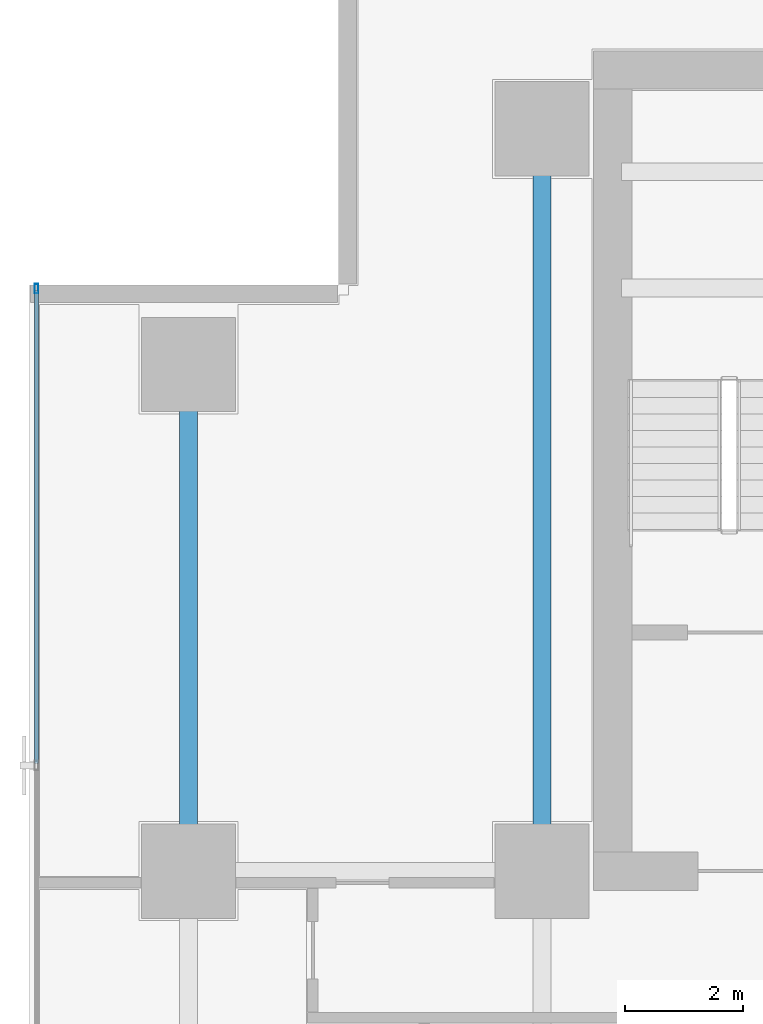
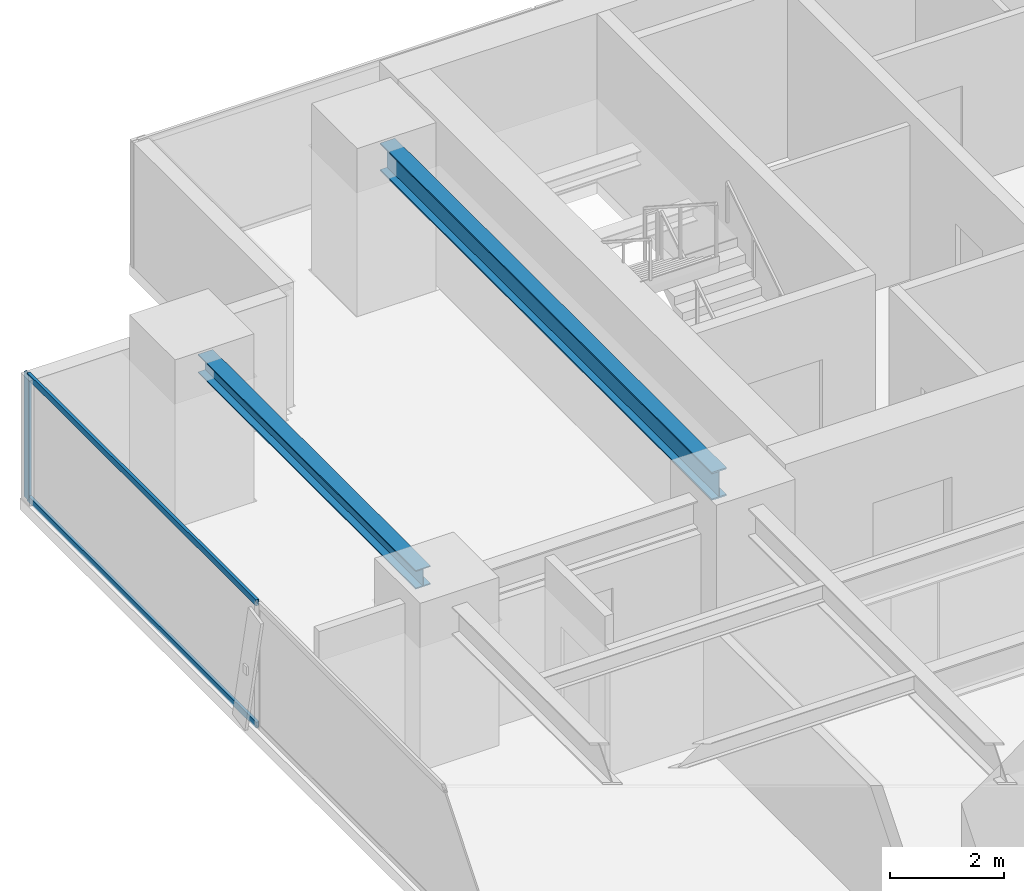
# One storey, part 18 of 36: 3 members, 2 beams, 1 element without a shape of its own.
"""IFC4 building model written with IfcOpenShell, lengths in metres."""

from ifc_helpers import new_model, si_unit, direction, frame, origin, origin_2d, place, context, subcontext, project, spatial, hollow_rectangle, i_section, extrude, source, transform, mapped, material, layer, layer_set, material_profile, profile_set, type_object, element, aggregate, save


model = new_model("IFC4")

# Units and contexts
model_context = context("Model", 3, precision=1e-05, world=origin(), true_north=direction((0.0, 1.0)))
body_context = subcontext(model_context, "Body", "Model", "MODEL_VIEW")
ifc_project = project(units=[si_unit("LENGTHUNIT", "METRE"), si_unit("AREAUNIT", "SQUARE_METRE"), si_unit("VOLUMEUNIT", "CUBIC_METRE"), si_unit("PLANEANGLEUNIT", "RADIAN"), si_unit("MASSUNIT", "GRAM", prefix="KILO")], contexts=[model_context])

# Site, building, storey
site_placement = place(None, origin())
site = spatial("IfcSite", under=ifc_project, at=site_placement, CompositionType="ELEMENT")
building_placement = place(site_placement, origin())
building = spatial("IfcBuilding", under=site, at=building_placement, Name="Sumidabori Civic Tower", CompositionType="ELEMENT")
storey_placement = place(building_placement, frame((0.0, 0.0, 120.800048828125)))
storey = spatial("IfcBuildingStorey", under=building, at=storey_placement, Name="L31", CompositionType="ELEMENT", Elevation=120.800048828125)

# Beams
ifc_material_1 = material(Name="Steel SN490", Category="steel")
ifc_material_profile_1 = material_profile(ifc_material_1, i_section(OverallWidth=0.300048828125, OverallDepth=0.39990234375, WebThickness=0.013427734375, FlangeThickness=0.02392578125, at=origin_2d()), Name="HE 400 B")
ifc_profile_set_1 = profile_set([ifc_material_profile_1], Name="Steel SN490")
beam_type_1 = type_object("IfcBeamType", Name="BM-GIRD-400", PredefinedType="BEAM", material=ifc_profile_set_1)
shared_shape_1 = source(origin(), body_context, "Body", "SweptSolid", [
    extrude(i_section(OverallWidth=0.300048828125, OverallDepth=0.39990234375, WebThickness=0.013427734375, FlangeThickness=0.02392578125, at=origin_2d()), origin(), (0.0, 0.0, 1.0), 7.64013671875),
])
beam_1_placement = place(storey_placement, frame((-22.800048828125, 10.679931640625, 3.099853515625), z_axis=(0.0, 1.0, 0.0), x_axis=(-1.0, 0.0, 0.0)))
element("IfcBeam", 1, at=beam_1_placement, inside=storey, type_object=beam_type_1, Name="Primary Girder L31 GY-24", PredefinedType="BEAM", context=body_context, shape_type="MappedRepresentation", body=[
    mapped(shared_shape_1, transform((0.0, 0.0, 0.0), x_axis=(1.0, 0.0, 0.0), y_axis=(0.0, 1.0, 0.0), z_axis=(0.0, 0.0, 1.0), scale=1.0)),
])
ifc_material_profile_2 = material_profile(ifc_material_1, i_section(OverallWidth=0.300048828125, OverallDepth=0.60009765625, WebThickness=0.015380859375, FlangeThickness=0.030029296875, at=origin_2d()), Name="HE 600 B")
ifc_profile_set_2 = profile_set([ifc_material_profile_2], Name="Steel SN490")
beam_type_2 = type_object("IfcBeamType", Name="BM-GIRD-600", PredefinedType="BEAM", material=ifc_profile_set_2)
shared_shape_2 = source(origin(), body_context, "Body", "SweptSolid", [
    extrude(i_section(OverallWidth=0.300048828125, OverallDepth=0.60009765625, WebThickness=0.015380859375, FlangeThickness=0.030029296875, at=origin_2d()), origin(), (0.0, 0.0, 1.0), 11.64013671875),
])
beam_2_placement = place(storey_placement, frame((-16.800048828125, 10.679931640625, 3.0), z_axis=(0.0, 1.0, 0.0), x_axis=(-1.0, 0.0, 0.0)))
element("IfcBeam", 2, at=beam_2_placement, inside=storey, type_object=beam_type_2, Name="Primary Girder L31 GY-28", PredefinedType="BEAM", context=body_context, shape_type="MappedRepresentation", body=[
    mapped(shared_shape_2, transform((0.0, 0.0, 0.0), x_axis=(1.0, 0.0, 0.0), y_axis=(0.0, 1.0, 0.0), z_axis=(0.0, 0.0, 1.0), scale=1.0)),
])

# Curtain wall, members
ifc_material_2 = material(Name="Anodised Bronze Aluminium AW-6063-T6", Category="aluminium")
ifc_layer = layer(ifc_material_2, 0.179931640625, Name="Anodised Bronze Aluminium AW-6063-T6")
ifc_layer_set = layer_set([ifc_layer], Name="Anodised Bronze Aluminium AW-6063-T6")
curtain_wall_type = type_object("IfcCurtainWallType", Name="CW-SYS-3", PredefinedType="NOTDEFINED", material=ifc_layer_set)
curtain_wall_placement = place(storey_placement, origin())
curtain_wall = element("IfcCurtainWall", 3, at=curtain_wall_placement, inside=storey, type_object=curtain_wall_type, Name="Curtain Wall CW:L31:R10", PredefinedType="NOTDEFINED")
ifc_material_profile_3 = material_profile(ifc_material_2, hollow_rectangle(XDim=0.06005859375, YDim=0.1298828125, WallThickness=0.0048828125, at=origin_2d()), Name="ALU TRANSOM 130x60")
ifc_profile_set_3 = profile_set([ifc_material_profile_3], Name="Anodised Bronze Aluminium AW-6063-T6")
member_type_1 = type_object("IfcMemberType", Name="CW-TRN-130", PredefinedType="USERDEFINED", material=ifc_profile_set_3)
shared_shape_3 = source(origin(), body_context, "Body", "SweptSolid", [
    extrude(hollow_rectangle(XDim=0.06005859375, YDim=0.1298828125, WallThickness=0.0048828125, at=origin_2d()), origin(), (0.0, 0.0, 1.0), 8.030517578125),
])
member_1_placement = place(storey_placement, frame((-25.3798828125, 20.054931640625, 0.030029296875), z_axis=(0.0, -1.0, 0.0), x_axis=(1.0, 0.0, 0.0)))
member_1 = element("IfcMember", 4, at=member_1_placement, type_object=member_type_1, Name="CW-3 transom 1.1", ObjectType="TRANSOM", PredefinedType="USERDEFINED", context=body_context, shape_type="MappedRepresentation", body=[
    mapped(shared_shape_3, transform((0.0, 0.0, 0.0), x_axis=(1.0, 0.0, 0.0), y_axis=(0.0, 1.0, 0.0), z_axis=(0.0, 0.0, 1.0), scale=1.0)),
])
member_2_placement = place(storey_placement, frame((-25.3798828125, 20.054931640625, 2.64990234375), z_axis=(0.0, -1.0, 0.0), x_axis=(1.0, 0.0, 0.0)))
member_2 = element("IfcMember", 5, at=member_2_placement, type_object=member_type_1, Name="CW-3 transom 1.2", ObjectType="TRANSOM", PredefinedType="USERDEFINED", context=body_context, shape_type="MappedRepresentation", body=[
    mapped(shared_shape_3, transform((0.0, 0.0, 0.0), x_axis=(1.0, 0.0, 0.0), y_axis=(0.0, 1.0, 0.0), z_axis=(0.0, 0.0, 1.0), scale=1.0)),
])
ifc_material_profile_4 = material_profile(ifc_material_2, hollow_rectangle(XDim=0.06494140625, YDim=0.159912109375, WallThickness=0.0048828125, at=origin_2d()), Name="ALU MULLION 160x65")
ifc_profile_set_4 = profile_set([ifc_material_profile_4], Name="Anodised Bronze Aluminium AW-6063-T6")
member_type_2 = type_object("IfcMemberType", Name="CW-MUL-160", PredefinedType="MULLION", material=ifc_profile_set_4)
shared_shape_4 = source(origin(), body_context, "Body", "SweptSolid", [
    extrude(hollow_rectangle(XDim=0.06494140625, YDim=0.159912109375, WallThickness=0.0048828125, at=origin_2d()), origin(), (0.0, 0.0, 1.0), 2.679931640625),
])
member_3_placement = place(storey_placement, frame((-25.3798828125, 20.08740234375, 0.0), z_axis=(0.0, 0.0, 1.0), x_axis=(1.0, 0.0, 0.0)))
member_3 = element("IfcMember", 6, at=member_3_placement, type_object=member_type_2, Name="CW-3 mullion 1", PredefinedType="MULLION", context=body_context, shape_type="MappedRepresentation", body=[
    mapped(shared_shape_4, transform((0.0, 0.0, 0.0), x_axis=(1.0, 0.0, 0.0), y_axis=(0.0, 1.0, 0.0), z_axis=(0.0, 0.0, 1.0), scale=1.0)),
])
aggregate(curtain_wall, [member_3, member_1, member_2])

save(model, "model.ifc")
